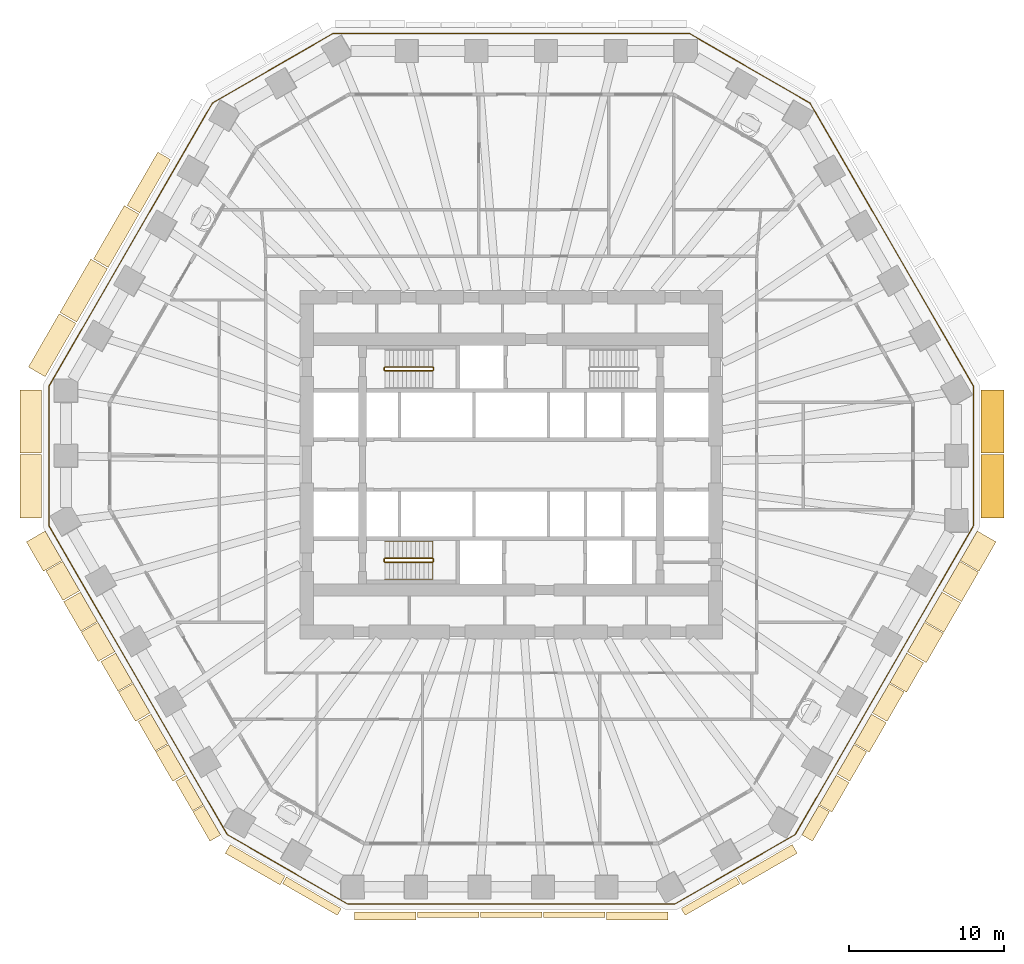
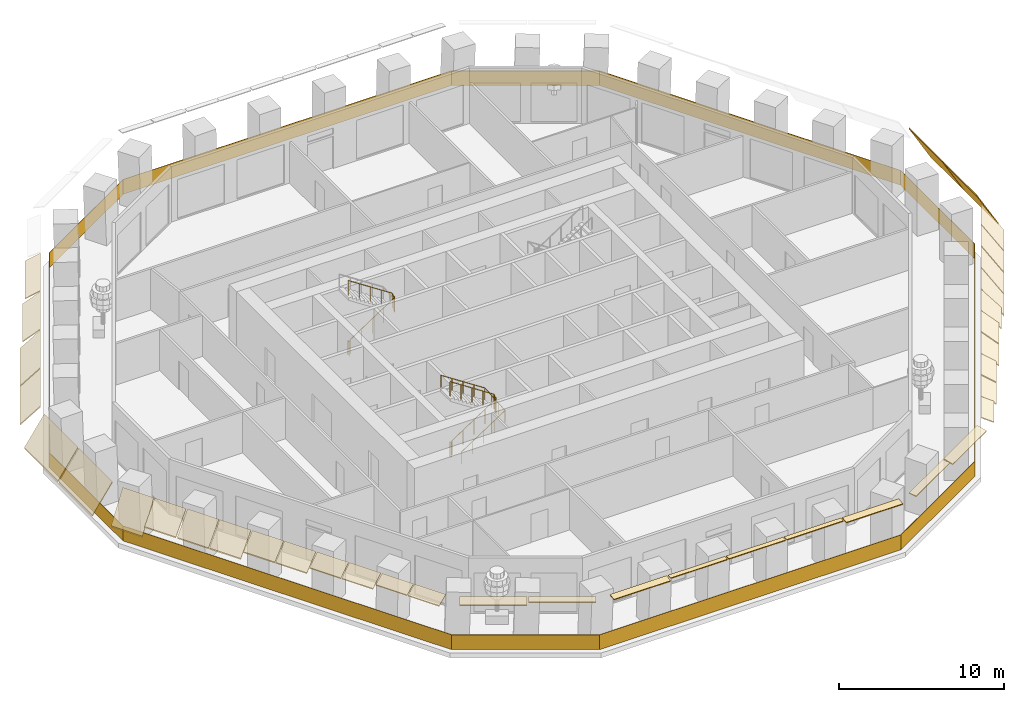
# One storey, part 10 of 13: 37 coverings, 4 railings.
"""IFC4 building model written with IfcOpenShell, lengths in metres."""

from ifc_helpers import new_model, si_unit, direction, frame, origin, origin_2d, place, context, subcontext, project, spatial, polyline, rectangle, circle, outline, extrude, material, layer, layer_set, type_object, element, save


model = new_model("IFC4")

# Units and contexts
model_context = context("Model", 3, precision=1e-05, world=origin(), true_north=direction((0.0, 1.0)))
body_context = subcontext(model_context, "Body", "Model", "MODEL_VIEW")
ifc_project = project(units=[si_unit("LENGTHUNIT", "METRE"), si_unit("AREAUNIT", "SQUARE_METRE"), si_unit("VOLUMEUNIT", "CUBIC_METRE"), si_unit("PLANEANGLEUNIT", "RADIAN"), si_unit("MASSUNIT", "GRAM", prefix="KILO")], contexts=[model_context])

# Site, building, storey
site_placement = place(None, origin())
site = spatial("IfcSite", under=ifc_project, at=site_placement, CompositionType="ELEMENT")
building_placement = place(site_placement, origin())
building = spatial("IfcBuilding", under=site, at=building_placement, Name="Frailejon Research Tower", CompositionType="ELEMENT")
storey_placement = place(building_placement, frame((0.0, 0.0, 32.199951171875)))
storey = spatial("IfcBuildingStorey", under=building, at=storey_placement, Name="L07", CompositionType="ELEMENT", Elevation=32.199951171875)

# Coverings
ifc_material_1 = material(Name="Precast concrete C50/60", Category="concrete")
ifc_layer_1 = layer(ifc_material_1, 0.06005859375)
ifc_layer_set_1 = layer_set([ifc_layer_1], Name="Brim blade depth 1100")
covering_type_1 = type_object("IfcCoveringType", Name="Brim blade depth 1100", PredefinedType="CLADDING", material=ifc_layer_set_1)
covering_1_placement = place(storey_placement, frame((-26.013671875, 12.7255859375, 4.25), z_axis=(0.499992413042, 0.866029784072, 0.0), x_axis=(-0.866029784072, 0.499992413042, 0.0)))
element("IfcCovering", 1, at=covering_1_placement, inside=storey, type_object=covering_type_1, Name="Brim blade L07", PredefinedType="CLADDING", context=body_context, shape_type="SweptSolid", body=[
    extrude(outline(polyline([(0.0, -0.078369140625), (1.10009765625, -1.001220703125), (1.10009765625, -0.923095703125), (0.0, 0.0), (0.0, -0.078369140625)])), origin(), (0.0, 0.0, 1.0), 3.972412109375),
])
for number, where, z_axis, x_axis, name in (
    (2, (-24.43701171875, -14.073974609375, 4.25), (-0.49998618725, 0.866033378433, 0.0), (-0.866033378433, -0.49998618725, 0.0), "Brim blade L07"),
    (3, (-23.30908203125, -16.027587890625, 4.25), (-0.49998618725, 0.866033378433, 0.0), (-0.866033378433, -0.49998618725, 0.0), "Brim blade L07"),
):
    element("IfcCovering", number, at=place(storey_placement, frame(where, z_axis=z_axis, x_axis=x_axis)), inside=storey, type_object=covering_type_1, Name=name, PredefinedType="CLADDING", context=body_context, shape_type="SweptSolid", body=[
        extrude(outline(polyline([(0.0, -0.078369140625), (1.10009765625, -1.001220703125), (1.10009765625, -0.923095703125), (0.0, 0.0), (0.0, -0.078369140625)])), origin(), (0.0, 0.0, 1.0), 2.19580078125),
    ])
covering_2_placement = place(storey_placement, frame((23.259033203125, -16.114013671875, 4.25), z_axis=(-0.500012180236, -0.866018371408, 0.0), x_axis=(0.866018371408, -0.500012180236, 0.0)))
element("IfcCovering", 4, at=covering_2_placement, inside=storey, type_object=covering_type_1, Name="Brim blade L07", PredefinedType="CLADDING", context=body_context, shape_type="SweptSolid", body=[
    extrude(outline(polyline([(0.0, -0.078369140625), (1.10009765625, -1.001220703125), (1.10009765625, -0.923095703125), (0.0, 0.0), (0.0, -0.078369140625)])), origin(), (0.0, 0.0, 1.0), 2.195556640625),
])
covering_3_placement = place(storey_placement, frame((24.406982421875, -14.1259765625, 4.25), z_axis=(-0.49998618725, -0.866033378433, 0.0), x_axis=(0.866033378433, -0.49998618725, 0.0)))
element("IfcCovering", 5, at=covering_3_placement, inside=storey, type_object=covering_type_1, Name="Brim blade L07", PredefinedType="CLADDING", context=body_context, shape_type="SweptSolid", body=[
    extrude(outline(polyline([(0.0, -0.078369140625), (1.10009765625, -1.001220703125), (1.10009765625, -0.923095703125), (0.0, 0.0), (0.0, -0.078369140625)])), origin(), (0.0, 0.0, 1.0), 2.19580078125),
])
ifc_material_2 = material(Name="Precast concrete C50/60", Category="concrete")
ifc_layer_2 = layer(ifc_material_2, 0.06005859375)
ifc_layer_set_2 = layer_set([ifc_layer_2], Name="Brim blade depth 1250")
covering_type_2 = type_object("IfcCoveringType", Name="Brim blade depth 1250", PredefinedType="CLADDING", material=ifc_layer_set_2)
for number, where, z_axis, x_axis, name in (
    (6, (-28.0498046875, 9.198974609375, 4.25), (0.499992413042, 0.866029784072, 0.0), (-0.866029784072, 0.499992413042, 0.0), "Brim blade L07"),
    (7, (-30.0859375, 5.672119140625, 4.25), (0.500010829996, 0.866019150993, 0.0), (-0.866019150993, 0.500010829996, 0.0), "Brim blade L07"),
):
    element("IfcCovering", number, at=place(storey_placement, frame(where, z_axis=z_axis, x_axis=x_axis)), inside=storey, type_object=covering_type_2, Name=name, PredefinedType="CLADDING", context=body_context, shape_type="SweptSolid", body=[
        extrude(outline(polyline([(0.0, -0.0888671875), (1.25, -1.452880859375), (1.25, -1.364013671875), (0.0, 0.0), (0.0, -0.0888671875)])), origin(), (0.0, 0.0, 1.0), 3.972412109375),
    ])
for number, where, z_axis, x_axis, name in (
    (8, (-27.8603515625, -8.144287109375, 4.25), (-0.500012180236, 0.866018371408, 0.0), (-0.866018371408, -0.500012180236, 0.0), "Brim blade L07"),
    (9, (-26.71240234375, -10.132568359375, 4.25), (-0.499995700913, 0.866027885849, 0.0), (-0.866027885849, -0.499995700913, 0.0), "Brim blade L07"),
    (10, (-25.584716796875, -12.0859375, 4.25), (-0.499995700913, 0.866027885849, 0.0), (-0.866027885849, -0.499995700913, 0.0), "Brim blade L07"),
):
    element("IfcCovering", number, at=place(storey_placement, frame(where, z_axis=z_axis, x_axis=x_axis)), inside=storey, type_object=covering_type_2, Name=name, PredefinedType="CLADDING", context=body_context, shape_type="SweptSolid", body=[
        extrude(outline(polyline([(0.0, -0.0888671875), (1.25, -1.452880859375), (1.25, -1.364013671875), (0.0, 0.0), (0.0, -0.0888671875)])), origin(), (0.0, 0.0, 1.0), 2.195556640625),
    ])
covering_4_placement = place(storey_placement, frame((25.534912109375, -12.172607421875, 4.25), z_axis=(-0.49998618725, -0.866033378433, 0.0), x_axis=(0.866033378433, -0.49998618725, 0.0)))
element("IfcCovering", 11, at=covering_4_placement, inside=storey, type_object=covering_type_2, Name="Brim blade L07", PredefinedType="CLADDING", context=body_context, shape_type="SweptSolid", body=[
    extrude(outline(polyline([(0.0, -0.0888671875), (1.25, -1.452880859375), (1.25, -1.364013671875), (0.0, 0.0), (0.0, -0.0888671875)])), origin(), (0.0, 0.0, 1.0), 2.19580078125),
])
ifc_material_3 = material(Name="Precast concrete C50/60", Category="concrete")
ifc_layer_3 = layer(ifc_material_3, 0.06005859375)
ifc_layer_set_3 = layer_set([ifc_layer_3], Name="Brim blade depth 1400")
covering_type_3 = type_object("IfcCoveringType", Name="Brim blade depth 1400", PredefinedType="CLADDING", material=ifc_layer_set_3)
covering_5_placement = place(storey_placement, frame((-30.31201171875, 0.741455078125, 4.25), z_axis=(0.0, 1.0, 0.0), x_axis=(-1.0, 0.0, 0.0)))
element("IfcCovering", 12, at=covering_5_placement, inside=storey, type_object=covering_type_3, Name="Brim blade L07", PredefinedType="CLADDING", context=body_context, shape_type="SweptSolid", body=[
    extrude(outline(polyline([(0.0, -0.1044921875), (1.39990234375, -2.10400390625), (1.39990234375, -1.99951171875), (0.0, 0.0), (0.0, -0.1044921875)])), origin(), (0.0, 0.0, 1.0), 4.08740234375),
])
covering_6_placement = place(storey_placement, frame((-30.31201171875, -3.4462890625, 4.25), z_axis=(0.0, 1.0, 0.0), x_axis=(-1.0, 0.0, 0.0)))
element("IfcCovering", 13, at=covering_6_placement, inside=storey, type_object=covering_type_3, Name="Brim blade L07", PredefinedType="CLADDING", context=body_context, shape_type="SweptSolid", body=[
    extrude(outline(polyline([(0.0, -0.1044921875), (1.39990234375, -2.10400390625), (1.39990234375, -1.99951171875), (0.0, 0.0), (0.0, -0.1044921875)])), origin(), (0.0, 0.0, 1.0), 4.087646484375),
])
for number, where, z_axis, x_axis, name in (
    (14, (-28.98828125, -6.19091796875, 4.25), (-0.500012180236, 0.866018371408, 0.0), (-0.866018371408, -0.500012180236, 0.0), "Brim blade L07"),
    (15, (26.6826171875, -10.184326171875, 4.25), (-0.499995700913, -0.866027885849, 0.0), (0.866027885849, -0.499995700913, 0.0), "Brim blade L07"),
    (16, (27.810302734375, -8.23095703125, 4.25), (-0.499995700913, -0.866027885849, 0.0), (0.866027885849, -0.499995700913, 0.0), "Brim blade L07"),
    (17, (28.958251953125, -6.242919921875, 4.25), (-0.500012180236, -0.866018371408, 0.0), (0.866018371408, -0.500012180236, 0.0), "Brim blade L07"),
    (18, (30.0859375, -4.28955078125, 4.25), (-0.500012180236, -0.866018371408, 0.0), (0.866018371408, -0.500012180236, 0.0), "Brim blade L07"),
):
    element("IfcCovering", number, at=place(storey_placement, frame(where, z_axis=z_axis, x_axis=x_axis)), inside=storey, type_object=covering_type_3, Name=name, PredefinedType="CLADDING", context=body_context, shape_type="SweptSolid", body=[
        extrude(outline(polyline([(0.0, -0.1044921875), (1.39990234375, -2.10400390625), (1.39990234375, -1.99951171875), (0.0, 0.0), (0.0, -0.1044921875)])), origin(), (0.0, 0.0, 1.0), 2.195556640625),
    ])
ifc_material_4 = material(Name="Precast concrete C50/60", Category="concrete")
ifc_layer_4 = layer(ifc_material_4, 0.06005859375)
ifc_layer_set_4 = layer_set([ifc_layer_4], Name="Brim blade depth 1500")
covering_type_4 = type_object("IfcCoveringType", Name="Brim blade depth 1500", PredefinedType="CLADDING", material=ifc_layer_set_4)
covering_7_placement = place(storey_placement, frame((30.31201171875, 0.641357421875, 4.25), z_axis=(0.0, -1.0, 0.0), x_axis=(1.0, 0.0, 0.0)))
element("IfcCovering", 19, at=covering_7_placement, inside=storey, type_object=covering_type_4, Name="Brim blade L07", PredefinedType="CLADDING", context=body_context, shape_type="SweptSolid", body=[
    extrude(outline(polyline([(0.0, -0.1201171875), (1.5, -2.718017578125), (1.5, -2.59814453125), (0.0, 0.0), (0.0, -0.1201171875)])), origin(), (0.0, 0.0, 1.0), 4.087646484375),
])
covering_8_placement = place(storey_placement, frame((30.31201171875, 4.828857421875, 4.25), z_axis=(0.0, -1.0, 0.0), x_axis=(1.0, 0.0, 0.0)))
element("IfcCovering", 20, at=covering_8_placement, inside=storey, type_object=covering_type_4, Name="Brim blade L07", PredefinedType="CLADDING", context=body_context, shape_type="SweptSolid", body=[
    extrude(outline(polyline([(0.0, -0.1201171875), (1.5, -2.718017578125), (1.5, -2.59814453125), (0.0, 0.0), (0.0, -0.1201171875)])), origin(), (0.0, 0.0, 1.0), 4.08740234375),
])
ifc_material_5 = material(Name="Precast concrete C50/60", Category="concrete")
ifc_layer_5 = layer(ifc_material_5, 0.06005859375)
ifc_layer_set_5 = layer_set([ifc_layer_5], Name="Brim blade depth 350")
covering_type_5 = type_object("IfcCoveringType", Name="Brim blade depth 350", PredefinedType="CLADDING", material=ifc_layer_set_5)
covering_9_placement = place(storey_placement, frame((-2.086181640625, -28.891357421875, 4.25), z_axis=(-1.0, 0.0, 0.0), x_axis=(0.0, -1.0, 0.0)))
element("IfcCovering", 21, at=covering_9_placement, inside=storey, type_object=covering_type_5, Name="Brim blade L07", PredefinedType="CLADDING", context=body_context, shape_type="SweptSolid", body=[
    extrude(outline(polyline([(0.0, -0.06005859375), (0.35009765625, -0.06005859375), (0.35009765625, 0.0), (0.0, 0.0), (0.0, -0.06005859375)])), origin(), (0.0, 0.0, 1.0), 3.972412109375),
])
covering_10_placement = place(storey_placement, frame((1.986083984375, -28.891357421875, 4.25), z_axis=(-1.0, 0.0, 0.0), x_axis=(0.0, -1.0, 0.0)))
element("IfcCovering", 22, at=covering_10_placement, inside=storey, type_object=covering_type_5, Name="Brim blade L07", PredefinedType="CLADDING", context=body_context, shape_type="SweptSolid", body=[
    extrude(outline(polyline([(0.0, -0.06005859375), (0.35009765625, -0.06005859375), (0.35009765625, 0.0), (0.0, 0.0), (0.0, -0.06005859375)])), origin(), (0.0, 0.0, 1.0), 3.97216796875),
])
covering_11_placement = place(storey_placement, frame((6.058349609375, -28.891357421875, 4.25), z_axis=(-1.0, 0.0, 0.0), x_axis=(0.0, -1.0, 0.0)))
element("IfcCovering", 23, at=covering_11_placement, inside=storey, type_object=covering_type_5, Name="Brim blade L07", PredefinedType="CLADDING", context=body_context, shape_type="SweptSolid", body=[
    extrude(outline(polyline([(0.0, -0.06005859375), (0.35009765625, -0.06005859375), (0.35009765625, 0.0), (0.0, 0.0), (0.0, -0.06005859375)])), origin(), (0.0, 0.0, 1.0), 3.972412109375),
])
ifc_material_6 = material(Name="Precast concrete C50/60", Category="concrete")
ifc_layer_6 = layer(ifc_material_6, 0.06005859375)
ifc_layer_set_6 = layer_set([ifc_layer_6], Name="Brim blade depth 500")
covering_type_6 = type_object("IfcCoveringType", Name="Brim blade depth 500", PredefinedType="CLADDING", material=ifc_layer_set_6)
covering_12_placement = place(storey_placement, frame((-10.97412109375, -28.665283203125, 4.25), z_axis=(-0.866021344981, 0.500007029989, 0.0), x_axis=(-0.500007029989, -0.866021344981, 0.0)))
element("IfcCovering", 24, at=covering_12_placement, inside=storey, type_object=covering_type_6, Name="Brim blade L07", PredefinedType="CLADDING", context=body_context, shape_type="SweptSolid", body=[
    extrude(outline(polyline([(0.0, -0.060546875), (0.5, -0.130859375), (0.5, -0.0703125), (0.0, 0.0), (0.0, -0.060546875)])), origin(), (0.0, 0.0, 1.0), 4.08740234375),
])
for number, where, z_axis, x_axis, name in (
    (25, (-6.158447265625, -28.891357421875, 4.25), (-1.0, 0.0, 0.0), (0.0, -1.0, 0.0), "Brim blade L07"),
    (26, (10.130615234375, -28.891357421875, 4.25), (-1.0, 0.0, 0.0), (0.0, -1.0, 0.0), "Brim blade L07"),
):
    element("IfcCovering", number, at=place(storey_placement, frame(where, z_axis=z_axis, x_axis=x_axis)), inside=storey, type_object=covering_type_6, Name=name, PredefinedType="CLADDING", context=body_context, shape_type="SweptSolid", body=[
        extrude(outline(polyline([(0.0, -0.060546875), (0.5, -0.130859375), (0.5, -0.0703125), (0.0, 0.0), (0.0, -0.060546875)])), origin(), (0.0, 0.0, 1.0), 3.972412109375),
    ])
covering_13_placement = place(storey_placement, frame((14.513916015625, -26.62158203125, 4.25), z_axis=(-0.866021344981, -0.500007029989, 0.0), x_axis=(0.500007029989, -0.866021344981, 0.0)))
element("IfcCovering", 27, at=covering_13_placement, inside=storey, type_object=covering_type_6, Name="Brim blade L07", PredefinedType="CLADDING", context=body_context, shape_type="SweptSolid", body=[
    extrude(outline(polyline([(0.0, -0.060546875), (0.5, -0.130859375), (0.5, -0.0703125), (0.0, 0.0), (0.0, -0.060546875)])), origin(), (0.0, 0.0, 1.0), 4.08740234375),
])
ifc_material_7 = material(Name="Precast concrete C50/60", Category="concrete")
ifc_layer_7 = layer(ifc_material_7, 0.06005859375)
ifc_layer_set_7 = layer_set([ifc_layer_7], Name="Brim blade depth 650")
covering_type_7 = type_object("IfcCoveringType", Name="Brim blade depth 650", PredefinedType="CLADDING", material=ifc_layer_set_7)
for number, where, z_axis, x_axis, name in (
    (28, (-14.6005859375, -26.571533203125, 4.25), (-0.866027315287, 0.499996689166, 0.0), (-0.499996689166, -0.866027315287, 0.0), "Brim blade L07"),
    (29, (18.140380859375, -24.52783203125, 4.25), (-0.866027315287, -0.499996689166, 0.0), (0.499996689166, -0.866027315287, 0.0), "Brim blade L07"),
):
    element("IfcCovering", number, at=place(storey_placement, frame(where, z_axis=z_axis, x_axis=x_axis)), inside=storey, type_object=covering_type_7, Name=name, PredefinedType="CLADDING", context=body_context, shape_type="SweptSolid", body=[
        extrude(outline(polyline([(0.0, -0.0625), (0.64990234375, -0.248779296875), (0.64990234375, -0.186279296875), (0.0, 0.0), (0.0, -0.0625)])), origin(), (0.0, 0.0, 1.0), 4.087646484375),
    ])
ifc_material_8 = material(Name="Precast concrete C50/60", Category="concrete")
ifc_layer_8 = layer(ifc_material_8, 0.06005859375)
ifc_layer_set_8 = layer_set([ifc_layer_8], Name="Brim blade depth 800")
covering_type_8 = type_object("IfcCoveringType", Name="Brim blade depth 800", PredefinedType="CLADDING", material=ifc_layer_set_8)
for number, where, z_axis, x_axis, name in (
    (30, (-19.885498046875, -21.95703125, 4.25), (-0.499995700913, 0.866027885849, 0.0), (-0.866027885849, -0.499995700913, 0.0), "Brim blade L07"),
    (31, (-18.7578125, -23.910400390625, 4.25), (-0.499995700913, 0.866027885849, 0.0), (-0.866027885849, -0.499995700913, 0.0), "Brim blade L07"),
    (32, (19.855712890625, -22.009033203125, 4.25), (-0.499995700913, -0.866027885849, 0.0), (0.866027885849, -0.499995700913, 0.0), "Brim blade L07"),
):
    element("IfcCovering", number, at=place(storey_placement, frame(where, z_axis=z_axis, x_axis=x_axis)), inside=storey, type_object=covering_type_8, Name=name, PredefinedType="CLADDING", context=body_context, shape_type="SweptSolid", body=[
        extrude(outline(polyline([(0.0, -0.065673828125), (0.800048828125, -0.421875), (0.800048828125, -0.356201171875), (0.0, 0.0), (0.0, -0.065673828125)])), origin(), (0.0, 0.0, 1.0), 2.195556640625),
    ])
ifc_material_9 = material(Name="Precast concrete C50/60", Category="concrete")
ifc_layer_9 = layer(ifc_material_9, 0.06005859375)
ifc_layer_set_9 = layer_set([ifc_layer_9], Name="Brim blade depth 950")
covering_type_9 = type_object("IfcCoveringType", Name="Brim blade depth 950", PredefinedType="CLADDING", material=ifc_layer_set_9)
covering_14_placement = place(storey_placement, frame((-23.9775390625, 16.252197265625, 4.25), z_axis=(0.500010829996, 0.866019150993, 0.0), x_axis=(-0.866019150993, 0.500010829996, 0.0)))
element("IfcCovering", 33, at=covering_14_placement, inside=storey, type_object=covering_type_9, Name="Brim blade L07", PredefinedType="CLADDING", context=body_context, shape_type="SweptSolid", body=[
    extrude(outline(polyline([(0.0, -0.07080078125), (0.949951171875, -0.664306640625), (0.949951171875, -0.593505859375), (0.0, 0.0), (0.0, -0.07080078125)])), origin(), (0.0, 0.0, 1.0), 3.972412109375),
])
for number, where, z_axis, x_axis, name in (
    (34, (-22.161376953125, -18.015625, 4.25), (-0.500012180236, 0.866018371408, 0.0), (-0.866018371408, -0.500012180236, 0.0), "Brim blade L07"),
    (35, (-21.033447265625, -19.968994140625, 4.25), (-0.500012180236, 0.866018371408, 0.0), (-0.866018371408, -0.500012180236, 0.0), "Brim blade L07"),
    (36, (20.9833984375, -20.0556640625, 4.25), (-0.499995700913, -0.866027885849, 0.0), (0.866027885849, -0.499995700913, 0.0), "Brim blade L07"),
    (37, (22.13134765625, -18.0673828125, 4.25), (-0.500012180236, -0.866018371408, 0.0), (0.866018371408, -0.500012180236, 0.0), "Brim blade L07"),
):
    element("IfcCovering", number, at=place(storey_placement, frame(where, z_axis=z_axis, x_axis=x_axis)), inside=storey, type_object=covering_type_9, Name=name, PredefinedType="CLADDING", context=body_context, shape_type="SweptSolid", body=[
        extrude(outline(polyline([(0.0, -0.07080078125), (0.949951171875, -0.664306640625), (0.949951171875, -0.593505859375), (0.0, 0.0), (0.0, -0.07080078125)])), origin(), (0.0, 0.0, 1.0), 2.195556640625),
    ])

# Railings
ifc_material_10 = material(Name="Laminated glass balustrade", Category="glass")
railing_type_1 = type_object("IfcRailingType", Name="Glass guard 1100", PredefinedType="GUARDRAIL", material=ifc_material_10)
railing_1_placement = place(storey_placement, frame((29.852783203125, -3.934814453125, 0.0)))
element("IfcRailing", 38, at=railing_1_placement, inside=storey, type_object=railing_type_1, Name="Loggia guard L07", PredefinedType="GUARDRAIL", context=body_context, shape_type="SweptSolid", body=[
    extrude(rectangle(XDim=8.975830078125, YDim=0.030029296875, at=origin_2d()), frame((0.0, 4.48779296875, 0.0), z_axis=(0.0, 0.0, 1.0), x_axis=(0.0, 1.0, 0.0)), (0.0, 0.0, 1.0), 1.10009765625),
    extrude(rectangle(XDim=21.121826171875, YDim=0.030029296875, at=origin_2d()), frame((-5.2802734375, 18.121826171875, 0.0), z_axis=(0.0, 0.0, 1.0), x_axis=(-0.499996605464, 0.866027363612, 0.0)), (0.0, 0.0, 1.0), 1.10009765625),
    extrude(rectangle(XDim=8.9755859375, YDim=0.030029296875, at=origin_2d()), frame((-14.447265625, 29.51171875, 0.0), z_axis=(0.0, 0.0, 1.0), x_axis=(-0.866028409771, 0.499994793442, 0.0)), (0.0, 0.0, 1.0), 1.10009765625),
    extrude(rectangle(XDim=23.03759765625, YDim=0.030029296875, at=origin_2d()), frame((-29.852783203125, 31.755615234375, 0.0), z_axis=(0.0, 0.0, 1.0), x_axis=(-1.0, 0.0, 0.0)), (0.0, 0.0, 1.0), 1.10009765625),
    extrude(rectangle(XDim=8.9755859375, YDim=0.030029296875, at=origin_2d()), frame((-45.25830078125, 29.51171875, 0.0), z_axis=(0.0, 0.0, 1.0), x_axis=(-0.866028409771, -0.499994793442, 0.0)), (0.0, 0.0, 1.0), 1.10009765625),
    extrude(rectangle(XDim=21.121826171875, YDim=0.030029296875, at=origin_2d()), frame((-54.42529296875, 18.121826171875, 0.0), z_axis=(0.0, 0.0, 1.0), x_axis=(-0.499996605464, -0.866027363612, 0.0)), (0.0, 0.0, 1.0), 1.10009765625),
    extrude(rectangle(XDim=8.975830078125, YDim=0.030029296875, at=origin_2d()), frame((-59.70556640625, 4.48779296875, 0.0), z_axis=(0.0, 0.0, 1.0), x_axis=(0.0, -1.0, 0.0)), (0.0, 0.0, 1.0), 1.10009765625),
    extrude(rectangle(XDim=23.03759765625, YDim=0.030029296875, at=origin_2d()), frame((-53.9462890625, -9.9755859375, 0.0), z_axis=(0.0, 0.0, 1.0), x_axis=(0.499999491336, -0.866025697462, 0.0)), (0.0, 0.0, 1.0), 1.10009765625),
    extrude(rectangle(XDim=8.9755859375, YDim=0.030029296875, at=origin_2d()), frame((-44.30029296875, -22.195068359375, 0.0), z_axis=(0.0, 0.0, 1.0), x_axis=(0.866028409771, -0.499994793442, 0.0)), (0.0, 0.0, 1.0), 1.10009765625),
    extrude(rectangle(XDim=21.12158203125, YDim=0.030029296875, at=origin_2d()), frame((-29.852783203125, -24.43896484375, 0.0), z_axis=(0.0, 0.0, 1.0), x_axis=(1.0, 0.0, 0.0)), (0.0, 0.0, 1.0), 1.10009765625),
    extrude(rectangle(XDim=8.9755859375, YDim=0.030029296875, at=origin_2d()), frame((-15.4052734375, -22.195068359375, 0.0), z_axis=(0.0, 0.0, 1.0), x_axis=(0.866028409771, 0.499994793442, 0.0)), (0.0, 0.0, 1.0), 1.10009765625),
    extrude(rectangle(XDim=22.9677734375, YDim=0.030029296875, at=origin_2d()), frame((-5.77685546875, -10.005859375, 0.0), z_axis=(0.0, 0.0, 1.0), x_axis=(0.500000947655, 0.866024856655, 0.0)), (0.0, 0.0, 1.0), 1.10009765625),
])
ifc_material_11 = material(Name="Stainless steel", Category="steel")
railing_type_2 = type_object("IfcRailingType", Name="Stair guard 1100", PredefinedType="GUARDRAIL", material=ifc_material_11)
railing_2_placement = place(storey_placement, frame((-8.199951171875, 6.25, 0.0)))
element("IfcRailing", 39, at=railing_2_placement, inside=storey, type_object=railing_type_2, Name="L07 ST1 stair guard 1", PredefinedType="GUARDRAIL", context=body_context, shape_type="SweptSolid", body=[
    extrude(circle(Radius=0.02392578125, at=origin_2d()), frame((0.0, 0.0, 1.076171875), z_axis=(0.0, -1.0, 0.0), x_axis=(1.0, 0.0, 0.0)), (0.0, 0.0, 1.0), 0.14990234375),
    extrude(circle(Radius=0.02392578125, at=origin_2d()), frame((0.0, -0.14990234375, 1.076171875), z_axis=(0.254653276557, -0.254653276557, 0.932900539971), x_axis=(0.707106781187, 0.707106781187, 0.0)), (0.0, 0.0, 1.0), 0.196533203125),
    extrude(circle(Radius=0.02392578125, at=origin_2d()), frame((0.050048828125, -0.199951171875, 1.25927734375), z_axis=(0.836613101238, 0.0, 0.547794230379), x_axis=(0.0, 1.0, 0.0)), (0.0, 0.0, 1.0), 3.681396484375),
    extrude(circle(Radius=0.02392578125, at=origin_2d()), frame((3.1298828125, -0.199951171875, 3.27587890625), z_axis=(0.707106781187, 0.707106781187, 0.0), x_axis=(-0.707106781187, 0.707106781187, 0.0)), (0.0, 0.0, 1.0), 0.07080078125),
    extrude(circle(Radius=0.02392578125, at=origin_2d()), frame((3.179931640625, -0.14990234375, 3.27587890625), z_axis=(0.0, 1.0, 0.0), x_axis=(-1.0, 0.0, 0.0)), (0.0, 0.0, 1.0), 0.14990234375),
    extrude(circle(Radius=0.02392578125, at=origin_2d()), frame((3.179931640625, 0.0, 3.27587890625), z_axis=(-0.254653276557, 0.254653276557, 0.932900539971), x_axis=(-0.707106781187, -0.707106781187, 0.0)), (0.0, 0.0, 1.0), 0.196533203125),
    extrude(circle(Radius=0.02392578125, at=origin_2d()), frame((3.1298828125, 0.050048828125, 3.45947265625), z_axis=(-0.836582707638, 0.0, 0.547840645882), x_axis=(0.0, -1.0, 0.0)), (0.0, 0.0, 1.0), 3.681396484375),
    extrude(circle(Radius=0.02099609375, at=origin_2d()), origin(), (0.0, 0.0, 1.0), 1.052001953125),
    extrude(circle(Radius=0.02099609375, at=origin_2d()), frame((0.0, -0.14990234375, 0.0)), (0.0, 0.0, 1.0), 1.052001953125),
    extrude(circle(Radius=0.02099609375, at=origin_2d()), frame((0.050048828125, -0.199951171875, 0.183349609375)), (0.0, 0.0, 1.0), 1.052001953125),
    extrude(circle(Radius=0.02099609375, at=origin_2d()), frame((0.820068359375, -0.199951171875, 0.6875)), (0.0, 0.0, 1.0), 1.052001953125),
    extrude(circle(Radius=0.02099609375, at=origin_2d()), frame((1.58984375, -0.199951171875, 1.191650390625)), (0.0, 0.0, 1.0), 1.052001953125),
    extrude(circle(Radius=0.02099609375, at=origin_2d()), frame((2.35986328125, -0.199951171875, 1.69580078125)), (0.0, 0.0, 1.0), 1.052001953125),
    extrude(circle(Radius=0.02099609375, at=origin_2d()), frame((3.1298828125, -0.199951171875, 2.199951171875)), (0.0, 0.0, 1.0), 1.052001953125),
    extrude(circle(Radius=0.02099609375, at=origin_2d()), frame((3.179931640625, -0.14990234375, 2.199951171875)), (0.0, 0.0, 1.0), 1.052001953125),
    extrude(circle(Radius=0.02099609375, at=origin_2d()), frame((3.179931640625, 0.0, 2.199951171875)), (0.0, 0.0, 1.0), 1.052001953125),
    extrude(circle(Radius=0.02099609375, at=origin_2d()), frame((3.1298828125, 0.050048828125, 2.38330078125)), (0.0, 0.0, 1.0), 1.052001953125),
    extrude(circle(Radius=0.02099609375, at=origin_2d()), frame((2.35986328125, 0.050048828125, 2.887451171875)), (0.0, 0.0, 1.0), 1.052001953125),
    extrude(circle(Radius=0.02099609375, at=origin_2d()), frame((1.58984375, 0.050048828125, 3.3916015625)), (0.0, 0.0, 1.0), 1.052001953125),
    extrude(circle(Radius=0.02099609375, at=origin_2d()), frame((0.820068359375, 0.050048828125, 3.89599609375)), (0.0, 0.0, 1.0), 1.052001953125),
    extrude(circle(Radius=0.02099609375, at=origin_2d()), frame((0.050048828125, 0.050048828125, 4.400146484375)), (0.0, 0.0, 1.0), 1.052001953125),
])
railing_3_placement = place(storey_placement, frame((-8.199951171875, -6.10009765625, 0.0)))
element("IfcRailing", 40, at=railing_3_placement, inside=storey, type_object=railing_type_2, Name="L07 ST2 stair guard 1", PredefinedType="GUARDRAIL", context=body_context, shape_type="SweptSolid", body=[
    extrude(circle(Radius=0.02392578125, at=origin_2d()), frame((0.0, 0.0, 1.076171875), z_axis=(0.0, -1.0, 0.0), x_axis=(1.0, 0.0, 0.0)), (0.0, 0.0, 1.0), 0.14990234375),
    extrude(circle(Radius=0.02392578125, at=origin_2d()), frame((0.0, -0.14990234375, 1.076171875), z_axis=(0.254653276557, -0.254653276557, 0.932900539971), x_axis=(0.707106781187, 0.707106781187, 0.0)), (0.0, 0.0, 1.0), 0.196533203125),
    extrude(circle(Radius=0.02392578125, at=origin_2d()), frame((0.050048828125, -0.199951171875, 1.25927734375), z_axis=(0.836613101238, 0.0, 0.547794230379), x_axis=(0.0, 1.0, 0.0)), (0.0, 0.0, 1.0), 3.681396484375),
    extrude(circle(Radius=0.02392578125, at=origin_2d()), frame((3.1298828125, -0.199951171875, 3.27587890625), z_axis=(0.707106781187, 0.707106781187, 0.0), x_axis=(-0.707106781187, 0.707106781187, 0.0)), (0.0, 0.0, 1.0), 0.07080078125),
    extrude(circle(Radius=0.02392578125, at=origin_2d()), frame((3.179931640625, -0.14990234375, 3.27587890625), z_axis=(0.0, 1.0, 0.0), x_axis=(-1.0, 0.0, 0.0)), (0.0, 0.0, 1.0), 0.14990234375),
    extrude(circle(Radius=0.02392578125, at=origin_2d()), frame((3.179931640625, 0.0, 3.27587890625), z_axis=(-0.254653276557, 0.254653276557, 0.932900539971), x_axis=(-0.707106781187, -0.707106781187, 0.0)), (0.0, 0.0, 1.0), 0.196533203125),
    extrude(circle(Radius=0.02392578125, at=origin_2d()), frame((3.1298828125, 0.050048828125, 3.45947265625), z_axis=(-0.836582707638, 0.0, 0.547840645882), x_axis=(0.0, -1.0, 0.0)), (0.0, 0.0, 1.0), 3.681396484375),
    extrude(circle(Radius=0.02099609375, at=origin_2d()), origin(), (0.0, 0.0, 1.0), 1.052001953125),
    extrude(circle(Radius=0.02099609375, at=origin_2d()), frame((0.0, -0.14990234375, 0.0)), (0.0, 0.0, 1.0), 1.052001953125),
    extrude(circle(Radius=0.02099609375, at=origin_2d()), frame((0.050048828125, -0.199951171875, 0.183349609375)), (0.0, 0.0, 1.0), 1.052001953125),
    extrude(circle(Radius=0.02099609375, at=origin_2d()), frame((0.820068359375, -0.199951171875, 0.6875)), (0.0, 0.0, 1.0), 1.052001953125),
    extrude(circle(Radius=0.02099609375, at=origin_2d()), frame((1.58984375, -0.199951171875, 1.191650390625)), (0.0, 0.0, 1.0), 1.052001953125),
    extrude(circle(Radius=0.02099609375, at=origin_2d()), frame((2.35986328125, -0.199951171875, 1.69580078125)), (0.0, 0.0, 1.0), 1.052001953125),
    extrude(circle(Radius=0.02099609375, at=origin_2d()), frame((3.1298828125, -0.199951171875, 2.199951171875)), (0.0, 0.0, 1.0), 1.052001953125),
    extrude(circle(Radius=0.02099609375, at=origin_2d()), frame((3.179931640625, -0.14990234375, 2.199951171875)), (0.0, 0.0, 1.0), 1.052001953125),
    extrude(circle(Radius=0.02099609375, at=origin_2d()), frame((3.179931640625, 0.0, 2.199951171875)), (0.0, 0.0, 1.0), 1.052001953125),
    extrude(circle(Radius=0.02099609375, at=origin_2d()), frame((3.1298828125, 0.050048828125, 2.38330078125)), (0.0, 0.0, 1.0), 1.052001953125),
    extrude(circle(Radius=0.02099609375, at=origin_2d()), frame((2.35986328125, 0.050048828125, 2.887451171875)), (0.0, 0.0, 1.0), 1.052001953125),
    extrude(circle(Radius=0.02099609375, at=origin_2d()), frame((1.58984375, 0.050048828125, 3.3916015625)), (0.0, 0.0, 1.0), 1.052001953125),
    extrude(circle(Radius=0.02099609375, at=origin_2d()), frame((0.820068359375, 0.050048828125, 3.89599609375)), (0.0, 0.0, 1.0), 1.052001953125),
    extrude(circle(Radius=0.02099609375, at=origin_2d()), frame((0.050048828125, 0.050048828125, 4.400146484375)), (0.0, 0.0, 1.0), 1.052001953125),
])
ifc_material_12 = material(Name="Stainless steel", Category="steel")
railing_type_3 = type_object("IfcRailingType", Name="Stair handrail 900", PredefinedType="HANDRAIL", material=ifc_material_12)
railing_4_placement = place(storey_placement, frame((-8.14990234375, -7.39990234375, 0.183349609375)))
element("IfcRailing", 41, at=railing_4_placement, inside=storey, type_object=railing_type_3, Name="L07 ST2 stair handrail 1", PredefinedType="HANDRAIL", context=body_context, shape_type="SweptSolid", body=[
    extrude(circle(Radius=0.02392578125, at=origin_2d()), frame((0.0, 0.0, 0.8759765625), z_axis=(0.836613101238, 0.0, 0.547794230379), x_axis=(0.0, 1.0, 0.0)), (0.0, 0.0, 1.0), 3.681396484375),
    extrude(circle(Radius=0.02392578125, at=origin_2d()), frame((3.079833984375, 0.0, 2.892578125), z_axis=(0.0, 0.99721134034, 0.074629368868), x_axis=(-1.0, 0.0, 0.0)), (0.0, 0.0, 1.0), 2.456787109375),
    extrude(circle(Radius=0.02392578125, at=origin_2d()), frame((3.079833984375, 2.449951171875, 3.07568359375), z_axis=(-0.836582707638, 0.0, 0.547840645882), x_axis=(0.0, -1.0, 0.0)), (0.0, 0.0, 1.0), 3.681396484375),
    extrude(circle(Radius=0.02099609375, at=origin_2d()), origin(), (0.0, 0.0, 1.0), 0.851806640625),
    extrude(circle(Radius=0.02099609375, at=origin_2d()), frame((0.77001953125, 0.0, 0.504150390625)), (0.0, 0.0, 1.0), 0.851806640625),
    extrude(circle(Radius=0.02099609375, at=origin_2d()), frame((1.5400390625, 0.0, 1.00830078125)), (0.0, 0.0, 1.0), 0.851806640625),
    extrude(circle(Radius=0.02099609375, at=origin_2d()), frame((2.309814453125, 0.0, 1.512451171875)), (0.0, 0.0, 1.0), 0.851806640625),
    extrude(circle(Radius=0.02099609375, at=origin_2d()), frame((3.079833984375, 0.0, 2.0166015625)), (0.0, 0.0, 1.0), 0.851806640625),
    extrude(circle(Radius=0.02099609375, at=origin_2d()), frame((3.079833984375, 0.816650390625, 2.07763671875)), (0.0, 0.0, 1.0), 0.851806640625),
    extrude(circle(Radius=0.02099609375, at=origin_2d()), frame((3.079833984375, 1.63330078125, 2.138916015625)), (0.0, 0.0, 1.0), 0.851806640625),
    extrude(circle(Radius=0.02099609375, at=origin_2d()), frame((3.079833984375, 2.449951171875, 2.199951171875)), (0.0, 0.0, 1.0), 0.851806640625),
    extrude(circle(Radius=0.02099609375, at=origin_2d()), frame((2.309814453125, 2.449951171875, 2.7041015625)), (0.0, 0.0, 1.0), 0.851806640625),
    extrude(circle(Radius=0.02099609375, at=origin_2d()), frame((1.5400390625, 2.449951171875, 3.20849609375)), (0.0, 0.0, 1.0), 0.851806640625),
    extrude(circle(Radius=0.02099609375, at=origin_2d()), frame((0.77001953125, 2.449951171875, 3.712646484375)), (0.0, 0.0, 1.0), 0.851806640625),
    extrude(circle(Radius=0.02099609375, at=origin_2d()), frame((0.0, 2.449951171875, 4.216796875)), (0.0, 0.0, 1.0), 0.851806640625),
])

save(model, "model.ifc")
